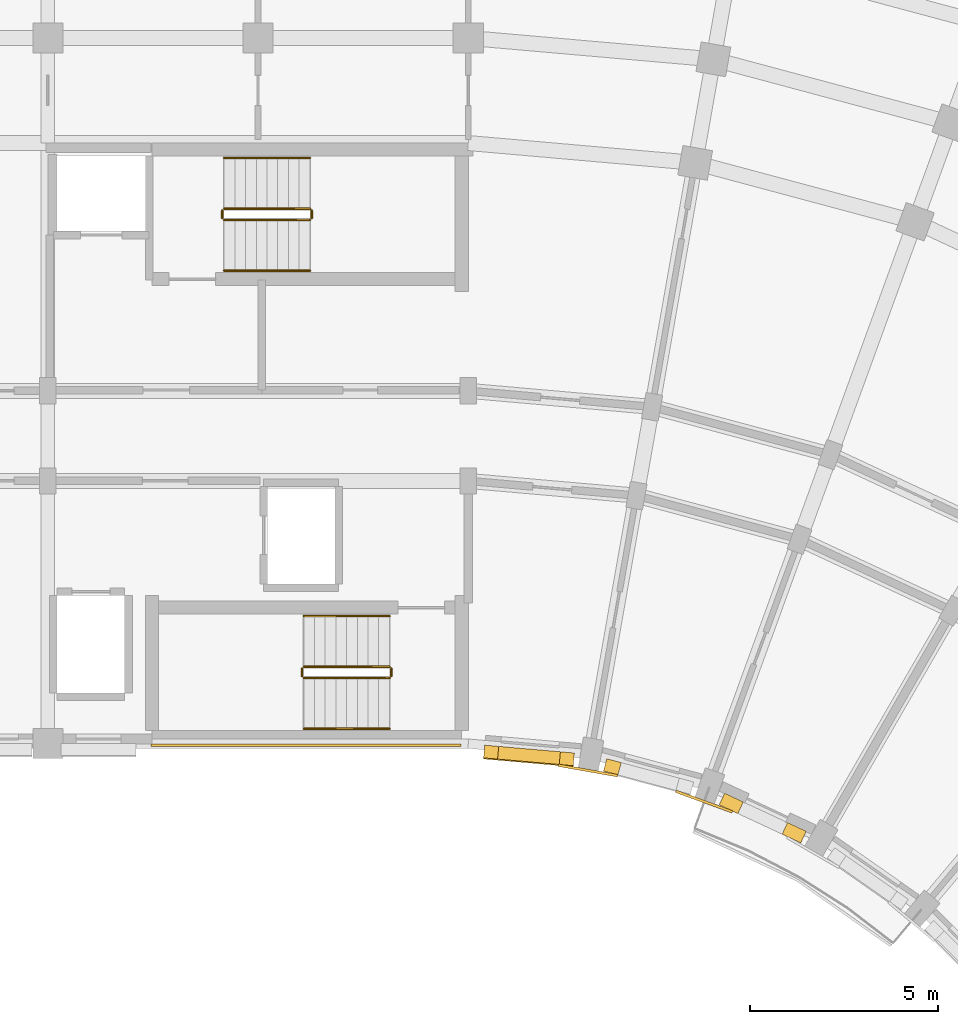
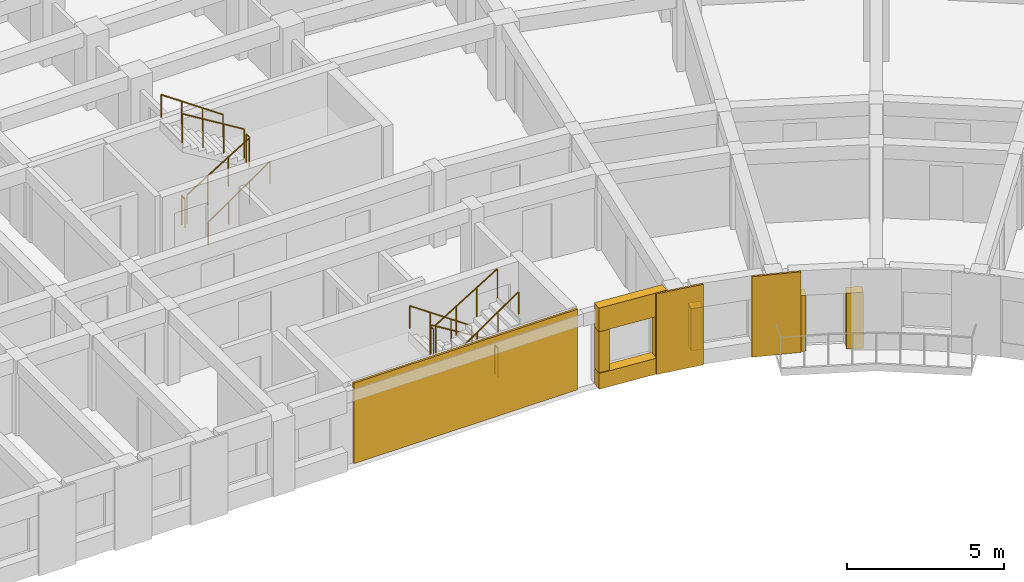
# One storey, part 49 of 54: 12 railings, 10 coverings.
"""IFC4 building model written with IfcOpenShell, lengths in metres."""

from ifc_helpers import new_model, si_unit, direction, frame, origin, origin_2d, place, context, subcontext, project, spatial, polyline, circle, outline, extrude, material, layer, layer_set, type_object, element, save


model = new_model("IFC4")

# Units and contexts
model_context = context("Model", 3, precision=1e-05, world=origin(), true_north=direction((0.0, 1.0)))
body_context = subcontext(model_context, "Body", "Model", "MODEL_VIEW")
ifc_project = project(units=[si_unit("LENGTHUNIT", "METRE"), si_unit("AREAUNIT", "SQUARE_METRE"), si_unit("VOLUMEUNIT", "CUBIC_METRE"), si_unit("PLANEANGLEUNIT", "RADIAN"), si_unit("MASSUNIT", "GRAM", prefix="KILO")], contexts=[model_context])

# Site, building, storey
site_placement = place(None, origin())
site = spatial("IfcSite", under=ifc_project, at=site_placement, CompositionType="ELEMENT")
building_placement = place(site_placement, origin())
building = spatial("IfcBuilding", under=site, at=building_placement, Name="Kiranvali Square Residences", CompositionType="ELEMENT")
storey_placement = place(building_placement, frame((0.0, 0.0, 11.85009765625)))
storey = spatial("IfcBuildingStorey", under=building, at=storey_placement, Name="L03", CompositionType="ELEMENT", Elevation=11.85009765625)

# Coverings
ifc_material_1 = material(Name="Honed Porbandar limestone ashlar facade cladding", Category="masonry")
ifc_layer_1 = layer(ifc_material_1, 0.3798828125)
ifc_layer_set_1 = layer_set([ifc_layer_1], Name="Honed Porbandar limestone ashlar facade cladding")
covering_type_1 = type_object("IfcCoveringType", Name="COV-CLAD-JAMB", PredefinedType="CLADDING", material=ifc_layer_set_1)
covering_1_placement = place(storey_placement, frame((0.0, 0.0, 0.621826171875)))
element("IfcCovering", 1, at=covering_1_placement, inside=storey, type_object=covering_type_1, Name="L03 deep limestone window jamb reveal B-L03-GDN-00.L", PredefinedType="CLADDING", context=body_context, shape_type="SweptSolid", body=[
    extrude(outline(polyline([(120.208740234375, 106.222900390625), (120.580810546875, 106.1904296875), (120.6103515625, 106.528564453125), (120.23828125, 106.56103515625), (120.208740234375, 106.222900390625)])), origin(), (0.0, 0.0, 1.0), 1.60009765625),
])
covering_2_placement = place(storey_placement, frame((0.0, 0.0, 0.621826171875)))
element("IfcCovering", 2, at=covering_2_placement, inside=storey, type_object=covering_type_1, Name="L03 deep limestone window jamb reveal B-L03-GDN-00.R", PredefinedType="CLADDING", context=body_context, shape_type="SweptSolid", body=[
    extrude(outline(polyline([(122.224609375, 106.046630859375), (122.5966796875, 106.013916015625), (122.626220703125, 106.352294921875), (122.254150390625, 106.384765625), (122.224609375, 106.046630859375)])), origin(), (0.0, 0.0, 1.0), 1.60009765625),
])
covering_3_placement = place(storey_placement, frame((0.0, 0.0, 0.572021484375)))
element("IfcCovering", 3, at=covering_3_placement, inside=storey, type_object=covering_type_1, Name="L03 deep limestone window jamb reveal B-L03-GDN-01.L", PredefinedType="CLADDING", context=body_context, shape_type="SweptSolid", body=[
    extrude(outline(polyline([(123.401611328125, 105.8720703125), (123.78662109375, 105.76904296875), (123.87451171875, 106.096923828125), (123.489501953125, 106.199951171875), (123.401611328125, 105.8720703125)])), origin(), (0.0, 0.0, 1.0), 1.64990234375),
])
covering_4_placement = place(storey_placement, origin())
element("IfcCovering", 4, at=covering_4_placement, inside=storey, type_object=covering_type_1, Name="L03 deep limestone window jamb reveal B-L03-GDN-02.L", PredefinedType="CLADDING", context=body_context, shape_type="SweptSolid", body=[
    extrude(outline(polyline([(126.485107421875, 104.97216796875), (126.982177734375, 104.740234375), (127.125732421875, 105.048095703125), (126.62841796875, 105.27978515625), (126.485107421875, 104.97216796875)])), origin(), (0.0, 0.0, 1.0), 2.179931640625),
])
covering_5_placement = place(storey_placement, origin())
element("IfcCovering", 5, at=covering_5_placement, inside=storey, type_object=covering_type_1, Name="L03 deep limestone window jamb reveal B-L03-GDN-02.R", PredefinedType="CLADDING", context=body_context, shape_type="SweptSolid", body=[
    extrude(outline(polyline([(128.160400390625, 104.19091796875), (128.657470703125, 103.958984375), (128.801025390625, 104.266845703125), (128.303955078125, 104.49853515625), (128.160400390625, 104.19091796875)])), origin(), (0.0, 0.0, 1.0), 2.179931640625),
])
ifc_layer_2 = layer(ifc_material_1, 0.06494140625)
ifc_layer_set_2 = layer_set([ifc_layer_2], Name="Honed Porbandar limestone ashlar facade cladding")
covering_type_2 = type_object("IfcCoveringType", Name="COV-CLAD-PIER", PredefinedType="CLADDING", material=ifc_layer_set_2)
covering_6_placement = place(storey_placement, frame((0.0, 0.0, 0.0048828125)))
element("IfcCovering", 6, at=covering_6_placement, inside=storey, type_object=covering_type_2, Name="Block B L03 garden stair limestone ashlar cladding", PredefinedType="CLADDING", context=body_context, shape_type="SweptSolid", body=[
    extrude(outline(polyline([(119.60009765625, 106.597900390625), (111.35009765625, 106.597900390625), (111.35009765625, 106.52001953125), (119.60009765625, 106.52001953125), (119.60009765625, 106.597900390625)])), origin(), (0.0, 0.0, 1.0), 3.14013671875),
])
ifc_layer_3 = layer(ifc_material_1, 0.050048828125)
ifc_layer_set_3 = layer_set([ifc_layer_3], Name="Honed Porbandar limestone ashlar facade cladding")
covering_type_3 = type_object("IfcCoveringType", Name="COV-CLAD-PIER-IN", PredefinedType="CLADDING", material=ifc_layer_set_3)
covering_7_placement = place(storey_placement, frame((0.0, 0.0, 0.0048828125)))
element("IfcCovering", 7, at=covering_7_placement, inside=storey, type_object=covering_type_3, Name="L03 Classical garden courtyard pilaster CLAD-PRIN-B-L03-A01", PredefinedType="CLADDING", context=body_context, shape_type="SweptSolid", body=[
    extrude(outline(polyline([(122.195556640625, 105.992431640625), (123.771240234375, 105.714599609375), (123.782958984375, 105.781005859375), (122.207275390625, 106.058837890625), (122.195556640625, 105.992431640625)])), origin(), (0.0, 0.0, 1.0), 3.14013671875),
])
covering_8_placement = place(storey_placement, frame((0.0, 0.0, 0.0048828125)))
element("IfcCovering", 8, at=covering_8_placement, inside=storey, type_object=covering_type_3, Name="L03 Classical garden courtyard pilaster CLAD-PRIN-B-L03-A02", PredefinedType="CLADDING", context=body_context, shape_type="SweptSolid", body=[
    extrude(outline(polyline([(125.318115234375, 105.300048828125), (126.82177734375, 104.7529296875), (126.8447265625, 104.816162109375), (125.34130859375, 105.363525390625), (125.318115234375, 105.300048828125)])), origin(), (0.0, 0.0, 1.0), 3.14013671875),
])
ifc_layer_4 = layer(ifc_material_1, 0.360107421875)
ifc_layer_set_4 = layer_set([ifc_layer_4], Name="Honed Porbandar limestone ashlar facade cladding")
covering_type_4 = type_object("IfcCoveringType", Name="COV-CLAD-WALL", PredefinedType="CLADDING", material=ifc_layer_set_4)
covering_9_placement = place(storey_placement, frame((0.0, 0.0, 2.221923828125)))
element("IfcCovering", 9, at=covering_9_placement, inside=storey, type_object=covering_type_4, Name="L03 light limestone spandrel lintel B-L03-GDN-00", PredefinedType="CLADDING", context=body_context, shape_type="SweptSolid", body=[
    extrude(outline(polyline([(120.208740234375, 106.222900390625), (122.5966796875, 106.013916015625), (122.626220703125, 106.352294921875), (120.23828125, 106.56103515625), (120.208740234375, 106.222900390625)])), origin(), (0.0, 0.0, 1.0), 0.923095703125),
])
ifc_layer_5 = layer(ifc_material_1, 0.2900390625)
ifc_layer_set_5 = layer_set([ifc_layer_5], Name="Honed Porbandar limestone ashlar facade cladding")
covering_type_5 = type_object("IfcCoveringType", Name="COV-CLAD-WALL-IN", PredefinedType="CLADDING", material=ifc_layer_set_5)
covering_10_placement = place(storey_placement, frame((0.0, 0.0, 0.0048828125)))
element("IfcCovering", 10, at=covering_10_placement, inside=storey, type_object=covering_type_5, Name="L03 limestone window sill apron B-L03-GDN-00", PredefinedType="CLADDING", context=body_context, shape_type="SweptSolid", body=[
    extrude(outline(polyline([(120.2060546875, 106.193115234375), (122.593994140625, 105.984130859375), (122.626220703125, 106.352294921875), (120.23828125, 106.56103515625), (120.2060546875, 106.193115234375)])), origin(), (0.0, 0.0, 1.0), 0.616943359375),
])

# Railings
ifc_material_2 = material(Name="Brushed stainless steel tubular handrail", Category="steel")
railing_type_1 = type_object("IfcRailingType", Name="RL-HANDRAIL-900", PredefinedType="HANDRAIL", material=ifc_material_2)
railing_1_placement = place(storey_placement, frame((113.300048828125, 119.199951171875, 0.1748046875)))
element("IfcRailing", 11, at=railing_1_placement, inside=storey, type_object=railing_type_1, Name="L03 ST-B1 stair handrail 1", PredefinedType="HANDRAIL", context=body_context, shape_type="SweptSolid", body=[
    extrude(circle(Radius=0.02392578125, at=origin_2d()), frame((0.0, 0.0, 0.8759765625), z_axis=(0.82274681792, 0.0, 0.568408016835), x_axis=(0.0, 1.0, 0.0)), (0.0, 0.0, 1.0), 2.771240234375),
    extrude(circle(Radius=0.02099609375, at=origin_2d()), origin(), (0.0, 0.0, 1.0), 0.851806640625),
    extrude(circle(Radius=0.02099609375, at=origin_2d()), frame((0.760009765625, 0.0, 0.525146484375)), (0.0, 0.0, 1.0), 0.851806640625),
    extrude(circle(Radius=0.02099609375, at=origin_2d()), frame((1.52001953125, 0.0, 1.050048828125)), (0.0, 0.0, 1.0), 0.851806640625),
    extrude(circle(Radius=0.02099609375, at=origin_2d()), frame((2.280029296875, 0.0, 1.5751953125)), (0.0, 0.0, 1.0), 0.851806640625),
])
railing_2_placement = place(storey_placement, frame((115.580078125, 122.199951171875, 1.75)))
element("IfcRailing", 12, at=railing_2_placement, inside=storey, type_object=railing_type_1, Name="L03 ST-B1 stair handrail 2", PredefinedType="HANDRAIL", context=body_context, shape_type="SweptSolid", body=[
    extrude(circle(Radius=0.02392578125, at=origin_2d()), frame((0.0, 0.0, 0.8759765625), z_axis=(-0.82278801735, 0.0, 0.568348377763), x_axis=(0.0, -1.0, 0.0)), (0.0, 0.0, 1.0), 2.77099609375),
    extrude(circle(Radius=0.02099609375, at=origin_2d()), origin(), (0.0, 0.0, 1.0), 0.851806640625),
    extrude(circle(Radius=0.02099609375, at=origin_2d()), frame((-0.760009765625, 0.0, 0.52490234375)), (0.0, 0.0, 1.0), 0.851806640625),
    extrude(circle(Radius=0.02099609375, at=origin_2d()), frame((-1.52001953125, 0.0, 1.050048828125)), (0.0, 0.0, 1.0), 0.851806640625),
    extrude(circle(Radius=0.02099609375, at=origin_2d()), frame((-2.280029296875, 0.0, 1.574951171875)), (0.0, 0.0, 1.0), 0.851806640625),
])
railing_3_placement = place(storey_placement, frame((117.699951171875, 110.0, 0.1748046875)))
element("IfcRailing", 13, at=railing_3_placement, inside=storey, type_object=railing_type_1, Name="L03 ST-B2 stair handrail 1", PredefinedType="HANDRAIL", context=body_context, shape_type="SweptSolid", body=[
    extrude(circle(Radius=0.02392578125, at=origin_2d()), frame((0.0, 0.0, 0.8759765625), z_axis=(-0.82274681792, 0.0, 0.568408016835), x_axis=(0.0, -1.0, 0.0)), (0.0, 0.0, 1.0), 2.771240234375),
    extrude(circle(Radius=0.02099609375, at=origin_2d()), origin(), (0.0, 0.0, 1.0), 0.851806640625),
    extrude(circle(Radius=0.02099609375, at=origin_2d()), frame((-0.760009765625, 0.0, 0.525146484375)), (0.0, 0.0, 1.0), 0.851806640625),
    extrude(circle(Radius=0.02099609375, at=origin_2d()), frame((-1.52001953125, 0.0, 1.050048828125)), (0.0, 0.0, 1.0), 0.851806640625),
    extrude(circle(Radius=0.02099609375, at=origin_2d()), frame((-2.280029296875, 0.0, 1.5751953125)), (0.0, 0.0, 1.0), 0.851806640625),
])
railing_4_placement = place(storey_placement, frame((115.419921875, 107.0, 1.75)))
element("IfcRailing", 14, at=railing_4_placement, inside=storey, type_object=railing_type_1, Name="L03 ST-B2 stair handrail 2", PredefinedType="HANDRAIL", context=body_context, shape_type="SweptSolid", body=[
    extrude(circle(Radius=0.02392578125, at=origin_2d()), frame((0.0, 0.0, 0.8759765625), z_axis=(0.82278801735, 0.0, 0.568348377763), x_axis=(0.0, 1.0, 0.0)), (0.0, 0.0, 1.0), 2.77099609375),
    extrude(circle(Radius=0.02099609375, at=origin_2d()), origin(), (0.0, 0.0, 1.0), 0.851806640625),
    extrude(circle(Radius=0.02099609375, at=origin_2d()), frame((0.760009765625, 0.0, 0.52490234375)), (0.0, 0.0, 1.0), 0.851806640625),
    extrude(circle(Radius=0.02099609375, at=origin_2d()), frame((1.52001953125, 0.0, 1.050048828125)), (0.0, 0.0, 1.0), 0.851806640625),
    extrude(circle(Radius=0.02099609375, at=origin_2d()), frame((2.280029296875, 0.0, 1.574951171875)), (0.0, 0.0, 1.0), 0.851806640625),
])
ifc_material_3 = material(Name="Powder-coated architectural bronze balustrade", Category="steel")
railing_type_2 = type_object("IfcRailingType", Name="RL-ST-GUARD-1200", PredefinedType="GUARDRAIL", material=ifc_material_3)
railing_5_placement = place(storey_placement, frame((113.300048828125, 120.550048828125, 0.1748046875)))
element("IfcRailing", 15, at=railing_5_placement, inside=storey, type_object=railing_type_2, Name="L03 ST-B1 stair guard 1", PredefinedType="GUARDRAIL", context=body_context, shape_type="SweptSolid", body=[
    extrude(circle(Radius=0.02392578125, at=origin_2d()), frame((0.0, 0.0, 1.1259765625), z_axis=(0.852149810458, 0.0, 0.523297908018), x_axis=(0.0, 1.0, 0.0)), (0.0, 0.0, 1.0), 2.675537109375),
    extrude(circle(Radius=0.02099609375, at=origin_2d()), origin(), (0.0, 0.0, 1.0), 1.101806640625),
    extrude(circle(Radius=0.02099609375, at=origin_2d()), frame((0.760009765625, 0.0, 0.466796875)), (0.0, 0.0, 1.0), 1.101806640625),
    extrude(circle(Radius=0.02099609375, at=origin_2d()), frame((1.52001953125, 0.0, 0.933349609375)), (0.0, 0.0, 1.0), 1.101806640625),
    extrude(circle(Radius=0.02099609375, at=origin_2d()), frame((2.280029296875, 0.0, 1.400146484375)), (0.0, 0.0, 1.0), 1.101806640625),
])
railing_6_placement = place(storey_placement, frame((115.6298828125, 120.60009765625, 1.574951171875)))
element("IfcRailing", 16, at=railing_6_placement, inside=storey, type_object=railing_type_2, Name="L03 ST-B1 stair guard 2", PredefinedType="GUARDRAIL", context=body_context, shape_type="SweptSolid", body=[
    extrude(circle(Radius=0.02392578125, at=origin_2d()), frame((0.0, 0.0, 1.1259765625), z_axis=(0.0, 1.0, 0.0), x_axis=(-1.0, 0.0, 0.0)), (0.0, 0.0, 1.0), 0.199951171875),
    extrude(circle(Radius=0.02099609375, at=origin_2d()), origin(), (0.0, 0.0, 1.0), 1.101806640625),
    extrude(circle(Radius=0.02099609375, at=origin_2d()), frame((0.0, 0.199951171875, 0.0)), (0.0, 0.0, 1.0), 1.101806640625),
])
railing_7_placement = place(storey_placement, frame((115.580078125, 120.85009765625, 1.75)))
element("IfcRailing", 17, at=railing_7_placement, inside=storey, type_object=railing_type_2, Name="L03 ST-B1 stair guard 3", PredefinedType="GUARDRAIL", context=body_context, shape_type="SweptSolid", body=[
    extrude(circle(Radius=0.02392578125, at=origin_2d()), frame((0.0, 0.0, 1.1259765625), z_axis=(-0.852190499154, 0.0, 0.523231643875), x_axis=(0.0, -1.0, 0.0)), (0.0, 0.0, 1.0), 2.675537109375),
    extrude(circle(Radius=0.02099609375, at=origin_2d()), origin(), (0.0, 0.0, 1.0), 1.101806640625),
    extrude(circle(Radius=0.02099609375, at=origin_2d()), frame((-0.760009765625, 0.0, 0.466552734375)), (0.0, 0.0, 1.0), 1.101806640625),
    extrude(circle(Radius=0.02099609375, at=origin_2d()), frame((-1.52001953125, 0.0, 0.933349609375)), (0.0, 0.0, 1.0), 1.101806640625),
    extrude(circle(Radius=0.02099609375, at=origin_2d()), frame((-2.280029296875, 0.0, 1.39990234375)), (0.0, 0.0, 1.0), 1.101806640625),
])
railing_8_placement = place(storey_placement, frame((113.25, 120.60009765625, 0.0)))
element("IfcRailing", 18, at=railing_8_placement, inside=storey, type_object=railing_type_2, Name="L03 ST-B1 stair guard 4", PredefinedType="GUARDRAIL", context=body_context, shape_type="SweptSolid", body=[
    extrude(circle(Radius=0.02392578125, at=origin_2d()), frame((0.0, 0.0, 1.1259765625), z_axis=(0.0, 1.0, 0.0), x_axis=(-1.0, 0.0, 0.0)), (0.0, 0.0, 1.0), 0.199951171875),
    extrude(circle(Radius=0.02099609375, at=origin_2d()), origin(), (0.0, 0.0, 1.0), 1.101806640625),
    extrude(circle(Radius=0.02099609375, at=origin_2d()), frame((0.0, 0.199951171875, 0.0)), (0.0, 0.0, 1.0), 1.101806640625),
])
railing_9_placement = place(storey_placement, frame((117.699951171875, 108.64990234375, 0.1748046875)))
element("IfcRailing", 19, at=railing_9_placement, inside=storey, type_object=railing_type_2, Name="L03 ST-B2 stair guard 1", PredefinedType="GUARDRAIL", context=body_context, shape_type="SweptSolid", body=[
    extrude(circle(Radius=0.02392578125, at=origin_2d()), frame((0.0, 0.0, 1.1259765625), z_axis=(-0.852149810458, 0.0, 0.523297908018), x_axis=(0.0, -1.0, 0.0)), (0.0, 0.0, 1.0), 2.675537109375),
    extrude(circle(Radius=0.02099609375, at=origin_2d()), origin(), (0.0, 0.0, 1.0), 1.101806640625),
    extrude(circle(Radius=0.02099609375, at=origin_2d()), frame((-0.760009765625, 0.0, 0.466796875)), (0.0, 0.0, 1.0), 1.101806640625),
    extrude(circle(Radius=0.02099609375, at=origin_2d()), frame((-1.52001953125, 0.0, 0.933349609375)), (0.0, 0.0, 1.0), 1.101806640625),
    extrude(circle(Radius=0.02099609375, at=origin_2d()), frame((-2.280029296875, 0.0, 1.400146484375)), (0.0, 0.0, 1.0), 1.101806640625),
])
railing_10_placement = place(storey_placement, frame((115.3701171875, 108.60009765625, 1.574951171875)))
element("IfcRailing", 20, at=railing_10_placement, inside=storey, type_object=railing_type_2, Name="L03 ST-B2 stair guard 2", PredefinedType="GUARDRAIL", context=body_context, shape_type="SweptSolid", body=[
    extrude(circle(Radius=0.02392578125, at=origin_2d()), frame((0.0, 0.0, 1.1259765625), z_axis=(0.0, -1.0, 0.0), x_axis=(1.0, 0.0, 0.0)), (0.0, 0.0, 1.0), 0.2001953125),
    extrude(circle(Radius=0.02099609375, at=origin_2d()), origin(), (0.0, 0.0, 1.0), 1.101806640625),
    extrude(circle(Radius=0.02099609375, at=origin_2d()), frame((0.0, -0.2001953125, 0.0)), (0.0, 0.0, 1.0), 1.101806640625),
])
railing_11_placement = place(storey_placement, frame((115.419921875, 108.35009765625, 1.75)))
element("IfcRailing", 21, at=railing_11_placement, inside=storey, type_object=railing_type_2, Name="L03 ST-B2 stair guard 3", PredefinedType="GUARDRAIL", context=body_context, shape_type="SweptSolid", body=[
    extrude(circle(Radius=0.02392578125, at=origin_2d()), frame((0.0, 0.0, 1.1259765625), z_axis=(0.852190499154, 0.0, 0.523231643875), x_axis=(0.0, 1.0, 0.0)), (0.0, 0.0, 1.0), 2.675537109375),
    extrude(circle(Radius=0.02099609375, at=origin_2d()), origin(), (0.0, 0.0, 1.0), 1.101806640625),
    extrude(circle(Radius=0.02099609375, at=origin_2d()), frame((0.760009765625, 0.0, 0.466552734375)), (0.0, 0.0, 1.0), 1.101806640625),
    extrude(circle(Radius=0.02099609375, at=origin_2d()), frame((1.52001953125, 0.0, 0.933349609375)), (0.0, 0.0, 1.0), 1.101806640625),
    extrude(circle(Radius=0.02099609375, at=origin_2d()), frame((2.280029296875, 0.0, 1.39990234375)), (0.0, 0.0, 1.0), 1.101806640625),
])
railing_12_placement = place(storey_placement, frame((117.75, 108.60009765625, 0.0)))
element("IfcRailing", 22, at=railing_12_placement, inside=storey, type_object=railing_type_2, Name="L03 ST-B2 stair guard 4", PredefinedType="GUARDRAIL", context=body_context, shape_type="SweptSolid", body=[
    extrude(circle(Radius=0.02392578125, at=origin_2d()), frame((0.0, 0.0, 1.1259765625), z_axis=(0.0, -1.0, 0.0), x_axis=(1.0, 0.0, 0.0)), (0.0, 0.0, 1.0), 0.2001953125),
    extrude(circle(Radius=0.02099609375, at=origin_2d()), origin(), (0.0, 0.0, 1.0), 1.101806640625),
    extrude(circle(Radius=0.02099609375, at=origin_2d()), frame((0.0, -0.2001953125, 0.0)), (0.0, 0.0, 1.0), 1.101806640625),
])

save(model, "model.ifc")
